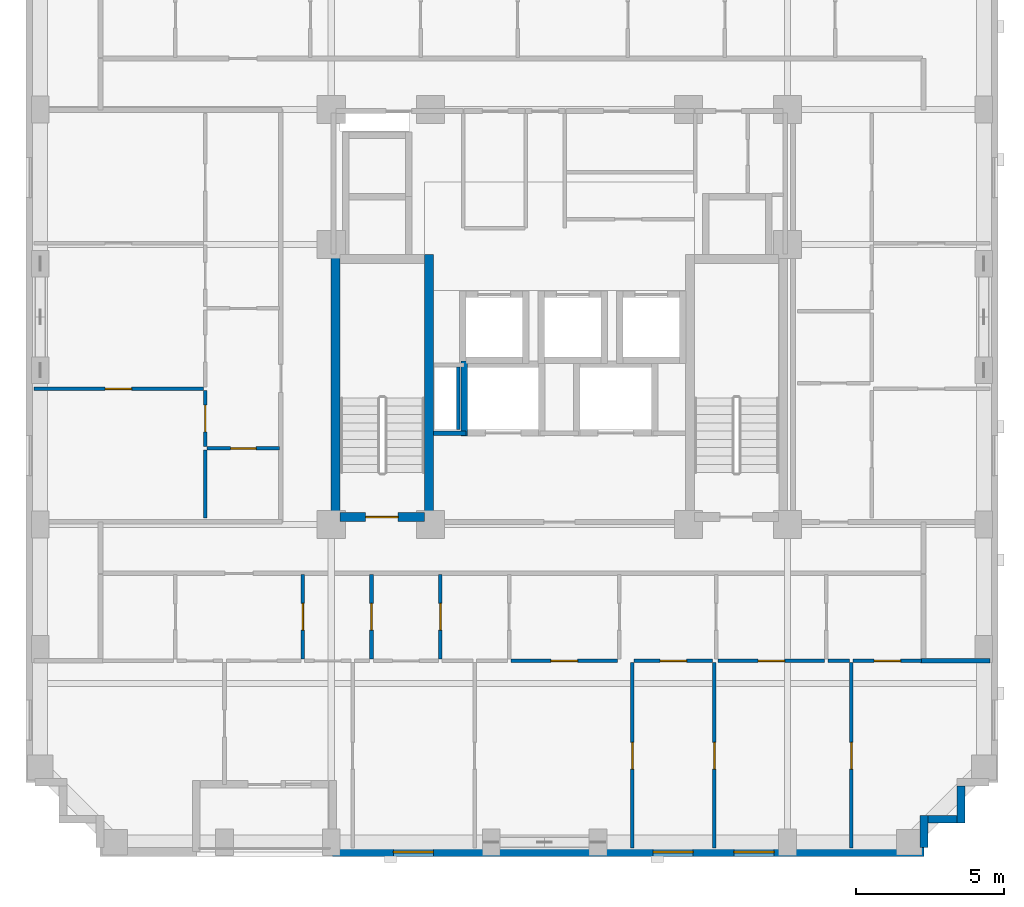
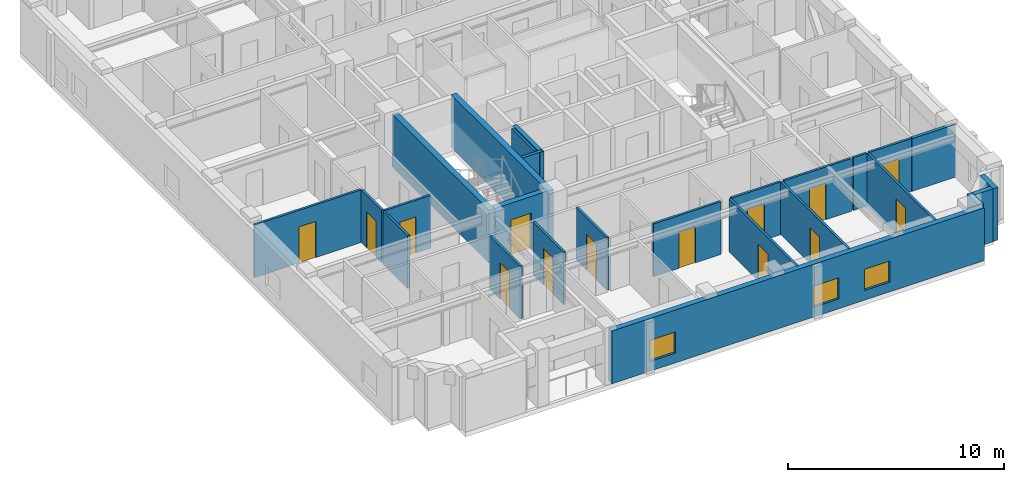
# One storey, part 3 of 11: 26 walls, 14 doors, 3 windows, 17 openings.
"""IFC4 building model written with IfcOpenShell, lengths in metres."""

from ifc_helpers import new_model, si_unit, derived_unit, direction, frame, frame_2d, origin, place, context, subcontext, project, spatial, rectangle, extrude, material, layer, layer_set, type_object, element, fill, save


model = new_model("IFC4")

# Units and contexts
model_context = context("Model", 3, precision=1e-05, world=origin(), true_north=direction((0.0, 1.0)))
body_context = subcontext(model_context, "Body", "Model", "MODEL_VIEW")
ifc_project = project(units=[si_unit("LENGTHUNIT", "METRE"), si_unit("AREAUNIT", "SQUARE_METRE"), si_unit("VOLUMEUNIT", "CUBIC_METRE"), si_unit("PLANEANGLEUNIT", "RADIAN"), si_unit("MASSUNIT", "GRAM", prefix="KILO"), derived_unit("THERMALTRANSMITTANCEUNIT", [(si_unit("MASSUNIT", "GRAM", prefix="KILO"), 1), (si_unit("TIMEUNIT", "SECOND"), -3), (si_unit("THERMODYNAMICTEMPERATUREUNIT", "KELVIN"), -1)])], contexts=[model_context])

# Site, building, storey
site_placement = place(None, origin())
site = spatial("IfcSite", under=ifc_project, at=site_placement, CompositionType="ELEMENT")
building_placement = place(site_placement, origin())
building = spatial("IfcBuilding", under=site, at=building_placement, Name="Korrvale Station Residences", CompositionType="ELEMENT")
storey_placement = place(building_placement, frame((0.0, 0.0, 150.39990234375)))
storey = spatial("IfcBuildingStorey", under=building, at=storey_placement, Name="L43", CompositionType="ELEMENT", Elevation=150.39990234375)

# Walls
ifc_material_1 = material(Name="Concrete C60/75", Category="concrete")
ifc_layer_1 = layer(ifc_material_1, 0.300048828125, Name="Concrete C60/75")
ifc_layer_set_1 = layer_set([ifc_layer_1], Name="Concrete C60/75")
wall_type_1 = type_object("IfcWallType", Name="WAL-CORE-300-C60", PredefinedType="SHEAR", material=ifc_layer_set_1)
for number, where, z_axis, x_axis, name in (
    (1, (17.949951171875, 15.10009765625, 0.0), (0.0, 0.0, 1.0), (0.0, 1.0, 0.0), "L43 ST-1 Core Shear Wall West"),
    (2, (21.10009765625, 15.10009765625, 0.0), (0.0, 0.0, 1.0), (0.0, 1.0, 0.0), "L43 ST-1 Core Shear Wall East"),
):
    element("IfcWall", number, at=place(storey_placement, frame(where, z_axis=z_axis, x_axis=x_axis)), inside=storey, type_object=wall_type_1, Name=name, PredefinedType="SHEAR", context=body_context, shape_type="SweptSolid", body=[
        extrude(rectangle(XDim=9.0, YDim=0.300048828125, at=frame_2d((4.5, 0.0))), origin(), (0.0, 0.0, 1.0), 2.989990234375),
    ])

# Wall, opening, door
wall_1_placement = place(storey_placement, frame((18.10009765625, 15.25, 0.0), z_axis=(0.0, 0.0, 1.0), x_axis=(1.0, 0.0, 0.0)))
wall_1 = element("IfcWall", 3, at=wall_1_placement, inside=storey, type_object=wall_type_1, Name="L43 ST-1 Core Shear Wall South", PredefinedType="SHEAR", context=body_context, shape_type="SweptSolid", body=[
    extrude(rectangle(XDim=2.849853515625, YDim=0.300048828125, at=frame_2d((1.4248046875, 0.0))), origin(), (0.0, 0.0, 1.0), 2.989990234375),
])
opening_1_placement = place(wall_1_placement, frame((0.860107421875, 0.0, 0.0)))
opening_1 = element("IfcOpeningElement", 4, at=opening_1_placement, cuts=wall_1, Name="Opening SD-1100", PredefinedType="OPENING", context=body_context, shape_type="SweptSolid", body=[
    extrude(rectangle(XDim=1.10009765625, YDim=2.050048828125, at=frame_2d((0.550048828125, 1.02490234375))), frame((0.0, 0.16015625, 0.0), z_axis=(0.0, -1.0, 0.0), x_axis=(1.0, 0.0, 0.0)), (0.0, 0.0, 1.0), 0.320068359375),
])
ifc_material_2 = material(Name="Hollow-metal fire-rated stair door with closer", Category="steel")
door_type_1 = type_object("IfcDoorType", Name="DR-STAIR-1100", OperationType="NOTDEFINED", PredefinedType="DOOR", material=ifc_material_2)
door_1_placement = place(opening_1_placement, origin())
door_1 = element("IfcDoor", 5, at=door_1_placement, inside=storey, type_object=door_type_1, Name="L43 ST-1 Exit Stair Door", OperationType="SINGLE_SWING_LEFT", OverallHeight=2.050048828125, OverallWidth=1.10009765625, PredefinedType="DOOR", context=body_context, shape_type="SweptSolid", body=[
    extrude(rectangle(XDim=1.10009765625, YDim=2.050048828125, at=frame_2d((0.550048828125, 1.02490234375))), frame((0.0, 0.02490234375, 0.0), z_axis=(0.0, -1.0, 0.0), x_axis=(1.0, 0.0, 0.0)), (0.0, 0.0, 1.0), 0.050048828125),
])
fill(opening_1, door_1)

# Walls
ifc_material_3 = material(Name="Precast concrete C45/55", Category="concrete")
ifc_layer_2 = layer(ifc_material_3, 0.260009765625, Name="Precast concrete C45/55")
ifc_layer_set_2 = layer_set([ifc_layer_2], Name="Precast concrete C45/55")
wall_type_2 = type_object("IfcWallType", Name="WAL-EXT-LOG260", PredefinedType="SOLIDWALL", material=ifc_layer_set_2)
wall_2_placement = place(storey_placement, frame((39.050048828125, 6.16796875, 0.0), z_axis=(0.0, 0.0, 1.0), x_axis=(0.0, -1.0, 0.0)))
element("IfcWall", 6, at=wall_2_placement, inside=storey, type_object=wall_type_2, Name="L43 Serrated Corner Precast Step SE-2", PredefinedType="SOLIDWALL", context=body_context, shape_type="SweptSolid", body=[
    extrude(rectangle(XDim=1.248046875, YDim=0.260009765625, at=frame_2d((0.6240234375, 0.0))), origin(), (0.0, 0.0, 1.0), 2.989990234375),
])
wall_3_placement = place(storey_placement, frame((38.91796875, 5.050048828125, 0.0), z_axis=(0.0, 0.0, 1.0), x_axis=(-1.0, 0.0, 0.0)))
element("IfcWall", 7, at=wall_3_placement, inside=storey, type_object=wall_type_2, Name="L43 Serrated Corner Precast Step SE-3", PredefinedType="SOLIDWALL", context=body_context, shape_type="SweptSolid", body=[
    extrude(rectangle(XDim=0.986083984375, YDim=0.260009765625, at=frame_2d((0.4931640625, 0.0))), origin(), (0.0, 0.0, 1.0), 2.989990234375),
])
wall_4_placement = place(storey_placement, frame((37.800048828125, 5.179931640625, 0.0), z_axis=(0.0, 0.0, 1.0), x_axis=(0.0, -1.0, 0.0)))
element("IfcWall", 8, at=wall_4_placement, inside=storey, type_object=wall_type_2, Name="L43 Serrated Corner Precast Step SE-4", PredefinedType="SOLIDWALL", context=body_context, shape_type="SweptSolid", body=[
    extrude(rectangle(XDim=1.077880859375, YDim=0.260009765625, at=frame_2d((0.5390625, 0.0))), origin(), (0.0, 0.0, 1.0), 2.989990234375),
])

# Wall, openings, windows
ifc_layer_3 = layer(ifc_material_3, 0.300048828125, Name="Precast concrete C45/55")
ifc_layer_set_3 = layer_set([ifc_layer_3], Name="Precast concrete C45/55")
wall_type_3 = type_object("IfcWallType", Name="WAL-EXT-PC300", PredefinedType="SOLIDWALL", material=ifc_layer_set_3)
wall_5_placement = place(storey_placement, frame((37.800048828125, 3.949951171875, 0.0), z_axis=(0.0, 0.0, 1.0), x_axis=(-1.0, 0.0, 0.0)))
wall_5 = element("IfcWall", 9, at=wall_5_placement, inside=storey, type_object=wall_type_3, Name="L43 South Exterior Precast Wall 1", PredefinedType="SOLIDWALL", context=body_context, shape_type="SweptSolid", body=[
    extrude(rectangle(XDim=19.949951171875, YDim=0.300048828125, at=frame_2d((9.97509765625, 0.0))), origin(), (0.0, 0.0, 1.0), 2.989990234375),
])
opening_2_placement = place(wall_5_placement, frame((16.554931640625, 0.0, 0.550048828125)))
opening_2 = element("IfcOpeningElement", 10, at=opening_2_placement, cuts=wall_5, Name="Opening W-10", PredefinedType="OPENING", context=body_context, shape_type="SweptSolid", body=[
    extrude(rectangle(XDim=1.35009765625, YDim=1.199951171875, at=frame_2d((0.675048828125, 0.60009765625))), frame((0.0, 0.16015625, 0.0), z_axis=(0.0, -1.0, 0.0), x_axis=(1.0, 0.0, 0.0)), (0.0, 0.0, 1.0), 0.320068359375),
])
opening_3_placement = place(wall_5_placement, frame((7.7880859375, 0.0, 0.550048828125)))
opening_3 = element("IfcOpeningElement", 11, at=opening_3_placement, cuts=wall_5, Name="Opening W-10", PredefinedType="OPENING", context=body_context, shape_type="SweptSolid", body=[
    extrude(rectangle(XDim=1.35009765625, YDim=1.199951171875, at=frame_2d((0.675048828125, 0.60009765625))), frame((0.0, 0.16015625, 0.0), z_axis=(0.0, -1.0, 0.0), x_axis=(1.0, 0.0, 0.0)), (0.0, 0.0, 1.0), 0.320068359375),
])
opening_4_placement = place(wall_5_placement, frame((5.06005859375, 0.0, 0.550048828125)))
opening_4 = element("IfcOpeningElement", 12, at=opening_4_placement, cuts=wall_5, Name="Opening W-10", PredefinedType="OPENING", context=body_context, shape_type="SweptSolid", body=[
    extrude(rectangle(XDim=1.35009765625, YDim=1.199951171875, at=frame_2d((0.675048828125, 0.60009765625))), frame((0.0, 0.16015625, 0.0), z_axis=(0.0, -1.0, 0.0), x_axis=(1.0, 0.0, 0.0)), (0.0, 0.0, 1.0), 0.320068359375),
])
ifc_material_4 = material(Name="Thermally broken aluminium frame with triple low-e glazing", Category="aluminium")
window_type = type_object("IfcWindowType", Name="WIN-W10", PartitioningType="SINGLE_PANEL", PredefinedType="WINDOW", material=ifc_material_4)
window_1_placement = place(opening_2_placement, origin())
window_1 = element("IfcWindow", 13, at=window_1_placement, inside=storey, type_object=window_type, Name="L43 Punched Window 03", OverallHeight=1.199951171875, OverallWidth=1.35009765625, PartitioningType="SINGLE_PANEL", PredefinedType="WINDOW", context=body_context, shape_type="SweptSolid", body=[
    extrude(rectangle(XDim=1.35009765625, YDim=1.199951171875, at=frame_2d((0.675048828125, 0.60009765625))), frame((0.0, 0.030029296875, 0.0), z_axis=(0.0, -1.0, 0.0), x_axis=(1.0, 0.0, 0.0)), (0.0, 0.0, 1.0), 0.06005859375),
])
fill(opening_2, window_1)
window_2_placement = place(opening_3_placement, origin())
window_2 = element("IfcWindow", 14, at=window_2_placement, inside=storey, type_object=window_type, Name="L43 Punched Window 04", OverallHeight=1.199951171875, OverallWidth=1.35009765625, PartitioningType="SINGLE_PANEL", PredefinedType="WINDOW", context=body_context, shape_type="SweptSolid", body=[
    extrude(rectangle(XDim=1.35009765625, YDim=1.199951171875, at=frame_2d((0.675048828125, 0.60009765625))), frame((0.0, 0.030029296875, 0.0), z_axis=(0.0, -1.0, 0.0), x_axis=(1.0, 0.0, 0.0)), (0.0, 0.0, 1.0), 0.06005859375),
])
fill(opening_3, window_2)
window_3_placement = place(opening_4_placement, origin())
window_3 = element("IfcWindow", 15, at=window_3_placement, inside=storey, type_object=window_type, Name="L43 Punched Window 05", OverallHeight=1.199951171875, OverallWidth=1.35009765625, PartitioningType="SINGLE_PANEL", PredefinedType="WINDOW", context=body_context, shape_type="SweptSolid", body=[
    extrude(rectangle(XDim=1.35009765625, YDim=1.199951171875, at=frame_2d((0.675048828125, 0.60009765625))), frame((0.0, 0.030029296875, 0.0), z_axis=(0.0, -1.0, 0.0), x_axis=(1.0, 0.0, 0.0)), (0.0, 0.0, 1.0), 0.06005859375),
])
fill(opening_4, window_3)

# Wall
ifc_material_5 = material(Name="Acoustic steel-stud gypsum board partition", Category="steel")
ifc_layer_4 = layer(ifc_material_5, 0.1201171875, Name="Acoustic steel-stud gypsum board partition")
ifc_layer_set_4 = layer_set([ifc_layer_4], Name="Acoustic steel-stud gypsum board partition")
wall_type_4 = type_object("IfcWallType", Name="WAL-PART-125", PredefinedType="PARTITIONING", material=ifc_layer_set_4)
wall_6_placement = place(storey_placement, frame((22.080078125, 18.199951171875, 0.0), z_axis=(0.0, 0.0, 1.0), x_axis=(0.0, 1.0, 0.0)))
element("IfcWall", 16, at=wall_6_placement, inside=storey, type_object=wall_type_4, Name="L43 Core Partition CW-RSWT", PredefinedType="PARTITIONING", context=body_context, shape_type="SweptSolid", body=[
    extrude(rectangle(XDim=2.1201171875, YDim=0.1201171875, at=frame_2d((1.06005859375, 0.0))), origin(), (0.0, 0.0, 1.0), 2.989990234375),
])

# Wall, opening, door
wall_7_placement = place(storey_placement, frame((16.840087890625, 10.4599609375, 0.0), z_axis=(0.0, 0.0, 1.0), x_axis=(0.0, 1.0, 0.0)))
wall_7 = element("IfcWall", 17, at=wall_7_placement, inside=storey, type_object=wall_type_4, Name="L43 Suite Partition U01-V12", PredefinedType="PARTITIONING", context=body_context, shape_type="SweptSolid", body=[
    extrude(rectangle(XDim=2.85009765625, YDim=0.1201171875, at=frame_2d((1.425048828125, 0.0))), origin(), (0.0, 0.0, 1.0), 2.989990234375),
])
opening_5_placement = place(wall_7_placement, frame((0.97509765625, 0.0, 0.0)))
opening_5 = element("IfcOpeningElement", 18, at=opening_5_placement, cuts=wall_7, Name="Opening DI-900", PredefinedType="OPENING", context=body_context, shape_type="SweptSolid", body=[
    extrude(rectangle(XDim=0.89990234375, YDim=2.050048828125, at=frame_2d((0.449951171875, 1.02490234375))), frame((0.0, 0.070068359375, 0.0), z_axis=(0.0, -1.0, 0.0), x_axis=(1.0, 0.0, 0.0)), (0.0, 0.0, 1.0), 0.14013671875),
])
ifc_material_6 = material(Name="Painted solid-core timber interior room door", Category="wood")
door_type_2 = type_object("IfcDoorType", Name="DR-INT-900", OperationType="NOTDEFINED", PredefinedType="DOOR", material=ifc_material_6)
door_2_placement = place(opening_5_placement, origin())
door_2 = element("IfcDoor", 19, at=door_2_placement, inside=storey, type_object=door_type_2, Name="L43 Apartment 2BR L43-U01 Kitchen Door", OperationType="SINGLE_SWING_LEFT", OverallHeight=2.050048828125, OverallWidth=0.89990234375, PredefinedType="DOOR", context=body_context, shape_type="SweptSolid", body=[
    extrude(rectangle(XDim=0.89990234375, YDim=2.050048828125, at=frame_2d((0.449951171875, 1.02490234375))), frame((0.0, 0.02490234375, 0.0), z_axis=(0.0, -1.0, 0.0), x_axis=(1.0, 0.0, 0.0)), (0.0, 0.0, 1.0), 0.050048828125),
])
fill(opening_5, door_2)

wall_8_placement = place(storey_placement, frame((19.159912109375, 10.4599609375, 0.0), z_axis=(0.0, 0.0, 1.0), x_axis=(0.0, 1.0, 0.0)))
wall_8 = element("IfcWall", 20, at=wall_8_placement, inside=storey, type_object=wall_type_4, Name="L43 Suite Partition U01-V23", PredefinedType="PARTITIONING", context=body_context, shape_type="SweptSolid", body=[
    extrude(rectangle(XDim=2.85009765625, YDim=0.1201171875, at=frame_2d((1.425048828125, 0.0))), origin(), (0.0, 0.0, 1.0), 2.989990234375),
])
opening_6_placement = place(wall_8_placement, frame((0.97509765625, 0.0, 0.0)))
opening_6 = element("IfcOpeningElement", 21, at=opening_6_placement, cuts=wall_8, Name="Opening DI-900", PredefinedType="OPENING", context=body_context, shape_type="SweptSolid", body=[
    extrude(rectangle(XDim=0.89990234375, YDim=2.050048828125, at=frame_2d((0.449951171875, 1.02490234375))), frame((0.0, 0.070068359375, 0.0), z_axis=(0.0, -1.0, 0.0), x_axis=(1.0, 0.0, 0.0)), (0.0, 0.0, 1.0), 0.14013671875),
])
door_3_placement = place(opening_6_placement, origin())
door_3 = element("IfcDoor", 22, at=door_3_placement, inside=storey, type_object=door_type_2, Name="L43 Apartment 2BR L43-U01 Wardrobe Storage Room Door", OperationType="SINGLE_SWING_RIGHT", OverallHeight=2.050048828125, OverallWidth=0.89990234375, PredefinedType="DOOR", context=body_context, shape_type="SweptSolid", body=[
    extrude(rectangle(XDim=0.89990234375, YDim=2.050048828125, at=frame_2d((0.449951171875, 1.02490234375))), frame((0.0, 0.02490234375, 0.0), z_axis=(0.0, -1.0, 0.0), x_axis=(1.0, 0.0, 0.0)), (0.0, 0.0, 1.0), 0.050048828125),
])
fill(opening_6, door_3)

wall_9_placement = place(storey_placement, frame((21.47998046875, 10.4599609375, 0.0), z_axis=(0.0, 0.0, 1.0), x_axis=(0.0, 1.0, 0.0)))
wall_9 = element("IfcWall", 23, at=wall_9_placement, inside=storey, type_object=wall_type_4, Name="L43 Suite Partition U01-V34", PredefinedType="PARTITIONING", context=body_context, shape_type="SweptSolid", body=[
    extrude(rectangle(XDim=2.85009765625, YDim=0.1201171875, at=frame_2d((1.425048828125, 0.0))), origin(), (0.0, 0.0, 1.0), 2.989990234375),
])
opening_7_placement = place(wall_9_placement, frame((0.97509765625, 0.0, 0.0)))
opening_7 = element("IfcOpeningElement", 24, at=opening_7_placement, cuts=wall_9, Name="Opening DI-900", PredefinedType="OPENING", context=body_context, shape_type="SweptSolid", body=[
    extrude(rectangle(XDim=0.89990234375, YDim=2.050048828125, at=frame_2d((0.449951171875, 1.02490234375))), frame((0.0, 0.070068359375, 0.0), z_axis=(0.0, -1.0, 0.0), x_axis=(1.0, 0.0, 0.0)), (0.0, 0.0, 1.0), 0.14013671875),
])
door_4_placement = place(opening_7_placement, origin())
door_4 = element("IfcDoor", 25, at=door_4_placement, inside=storey, type_object=door_type_2, Name="L43 Apartment 2BR L43-U01 Wardrobe Storage Room Door", OperationType="SINGLE_SWING_RIGHT", OverallHeight=2.050048828125, OverallWidth=0.89990234375, PredefinedType="DOOR", context=body_context, shape_type="SweptSolid", body=[
    extrude(rectangle(XDim=0.89990234375, YDim=2.050048828125, at=frame_2d((0.449951171875, 1.02490234375))), frame((0.0, 0.02490234375, 0.0), z_axis=(0.0, -1.0, 0.0), x_axis=(1.0, 0.0, 0.0)), (0.0, 0.0, 1.0), 0.050048828125),
])
fill(opening_7, door_4)

wall_10_placement = place(storey_placement, frame((23.860107421875, 10.39990234375, 0.0), z_axis=(0.0, 0.0, 1.0), x_axis=(1.0, 0.0, 0.0)))
wall_10 = element("IfcWall", 26, at=wall_10_placement, inside=storey, type_object=wall_type_4, Name="L43 Suite Partition U01-H512", PredefinedType="PARTITIONING", context=body_context, shape_type="SweptSolid", body=[
    extrude(rectangle(XDim=3.599853515625, YDim=0.1201171875, at=frame_2d((1.7998046875, 0.0))), origin(), (0.0, 0.0, 1.0), 2.989990234375),
])
opening_8_placement = place(wall_10_placement, frame((1.35009765625, 0.0, 0.0)))
opening_8 = element("IfcOpeningElement", 27, at=opening_8_placement, cuts=wall_10, Name="Opening DI-900", PredefinedType="OPENING", context=body_context, shape_type="SweptSolid", body=[
    extrude(rectangle(XDim=0.89990234375, YDim=2.050048828125, at=frame_2d((0.449951171875, 1.02490234375))), frame((0.0, 0.070068359375, 0.0), z_axis=(0.0, -1.0, 0.0), x_axis=(1.0, 0.0, 0.0)), (0.0, 0.0, 1.0), 0.14013671875),
])
door_5_placement = place(opening_8_placement, origin())
door_5 = element("IfcDoor", 28, at=door_5_placement, inside=storey, type_object=door_type_2, Name="L43 Apartment 2BR L43-U01 Utility and Laundry Room Door", OperationType="SINGLE_SWING_RIGHT", OverallHeight=2.050048828125, OverallWidth=0.89990234375, PredefinedType="DOOR", context=body_context, shape_type="SweptSolid", body=[
    extrude(rectangle(XDim=0.89990234375, YDim=2.050048828125, at=frame_2d((0.449951171875, 1.02490234375))), frame((0.0, 0.02490234375, 0.0), z_axis=(0.0, -1.0, 0.0), x_axis=(1.0, 0.0, 0.0)), (0.0, 0.0, 1.0), 0.050048828125),
])
fill(opening_8, door_5)

wall_11_placement = place(storey_placement, frame((28.02001953125, 10.39990234375, 0.0), z_axis=(0.0, 0.0, 1.0), x_axis=(1.0, 0.0, 0.0)))
wall_11 = element("IfcWall", 29, at=wall_11_placement, inside=storey, type_object=wall_type_4, Name="L43 Suite Partition U01-H613", PredefinedType="PARTITIONING", context=body_context, shape_type="SweptSolid", body=[
    extrude(rectangle(XDim=2.64990234375, YDim=0.1201171875, at=frame_2d((1.324951171875, 0.0))), origin(), (0.0, 0.0, 1.0), 2.989990234375),
])
opening_9_placement = place(wall_11_placement, frame((0.875, 0.0, 0.0)))
opening_9 = element("IfcOpeningElement", 30, at=opening_9_placement, cuts=wall_11, Name="Opening DI-900", PredefinedType="OPENING", context=body_context, shape_type="SweptSolid", body=[
    extrude(rectangle(XDim=0.89990234375, YDim=2.050048828125, at=frame_2d((0.449951171875, 1.02490234375))), frame((0.0, 0.070068359375, 0.0), z_axis=(0.0, -1.0, 0.0), x_axis=(1.0, 0.0, 0.0)), (0.0, 0.0, 1.0), 0.14013671875),
])
door_6_placement = place(opening_9_placement, origin())
door_6 = element("IfcDoor", 31, at=door_6_placement, inside=storey, type_object=door_type_2, Name="L43 Apartment 2BR L43-U01 Storage Closet 2 Door", OperationType="SINGLE_SWING_RIGHT", OverallHeight=2.050048828125, OverallWidth=0.89990234375, PredefinedType="DOOR", context=body_context, shape_type="SweptSolid", body=[
    extrude(rectangle(XDim=0.89990234375, YDim=2.050048828125, at=frame_2d((0.449951171875, 1.02490234375))), frame((0.0, 0.02490234375, 0.0), z_axis=(0.0, -1.0, 0.0), x_axis=(1.0, 0.0, 0.0)), (0.0, 0.0, 1.0), 0.050048828125),
])
fill(opening_9, door_6)

wall_12_placement = place(storey_placement, frame((30.85009765625, 10.39990234375, 0.0), z_axis=(0.0, 0.0, 1.0), x_axis=(1.0, 0.0, 0.0)))
wall_12 = element("IfcWall", 32, at=wall_12_placement, inside=storey, type_object=wall_type_4, Name="L43 Suite Partition U01-H714", PredefinedType="PARTITIONING", context=body_context, shape_type="SweptSolid", body=[
    extrude(rectangle(XDim=3.599853515625, YDim=0.1201171875, at=frame_2d((1.7998046875, 0.0))), origin(), (0.0, 0.0, 1.0), 2.989990234375),
])
opening_10_placement = place(wall_12_placement, frame((1.35009765625, 0.0, 0.0)))
opening_10 = element("IfcOpeningElement", 33, at=opening_10_placement, cuts=wall_12, Name="Opening DI-900", PredefinedType="OPENING", context=body_context, shape_type="SweptSolid", body=[
    extrude(rectangle(XDim=0.89990234375, YDim=2.050048828125, at=frame_2d((0.449951171875, 1.02490234375))), frame((0.0, 0.070068359375, 0.0), z_axis=(0.0, -1.0, 0.0), x_axis=(1.0, 0.0, 0.0)), (0.0, 0.0, 1.0), 0.14013671875),
])
door_7_placement = place(opening_10_placement, origin())
door_7 = element("IfcDoor", 34, at=door_7_placement, inside=storey, type_object=door_type_2, Name="L43 Apartment 2BR L43-U01 Storage Closet 3 Door", OperationType="SINGLE_SWING_RIGHT", OverallHeight=2.050048828125, OverallWidth=0.89990234375, PredefinedType="DOOR", context=body_context, shape_type="SweptSolid", body=[
    extrude(rectangle(XDim=0.89990234375, YDim=2.050048828125, at=frame_2d((0.449951171875, 1.02490234375))), frame((0.0, 0.02490234375, 0.0), z_axis=(0.0, -1.0, 0.0), x_axis=(1.0, 0.0, 0.0)), (0.0, 0.0, 1.0), 0.050048828125),
])
fill(opening_10, door_7)

# Wall
wall_13_placement = place(storey_placement, frame((34.570068359375, 10.39990234375, 0.0), z_axis=(0.0, 0.0, 1.0), x_axis=(1.0, 0.0, 0.0)))
element("IfcWall", 35, at=wall_13_placement, inside=storey, type_object=wall_type_4, Name="L43 Suite Partition U01-H814", PredefinedType="PARTITIONING", context=body_context, shape_type="SweptSolid", body=[
    extrude(rectangle(XDim=0.719970703125, YDim=0.1201171875, at=frame_2d((0.35986328125, 0.0))), origin(), (0.0, 0.0, 1.0), 2.989990234375),
])

# Wall, opening, door
wall_14_placement = place(storey_placement, frame((35.409912109375, 10.39990234375, 0.0), z_axis=(0.0, 0.0, 1.0), x_axis=(1.0, 0.0, 0.0)))
wall_14 = element("IfcWall", 36, at=wall_14_placement, inside=storey, type_object=wall_type_4, Name="L43 Suite Partition U01-H815", PredefinedType="PARTITIONING", context=body_context, shape_type="SweptSolid", body=[
    extrude(rectangle(XDim=2.31005859375, YDim=0.1201171875, at=frame_2d((1.155029296875, 0.0))), origin(), (0.0, 0.0, 1.0), 2.989990234375),
])
opening_11_placement = place(wall_14_placement, frame((0.705078125, 0.0, 0.0)))
opening_11 = element("IfcOpeningElement", 37, at=opening_11_placement, cuts=wall_14, Name="Opening DI-900", PredefinedType="OPENING", context=body_context, shape_type="SweptSolid", body=[
    extrude(rectangle(XDim=0.89990234375, YDim=2.050048828125, at=frame_2d((0.449951171875, 1.02490234375))), frame((0.0, 0.070068359375, 0.0), z_axis=(0.0, -1.0, 0.0), x_axis=(1.0, 0.0, 0.0)), (0.0, 0.0, 1.0), 0.14013671875),
])
door_8_placement = place(opening_11_placement, origin())
door_8 = element("IfcDoor", 38, at=door_8_placement, inside=storey, type_object=door_type_2, Name="L43 Apartment 2BR L43-U01 Storage Closet 4 Door", OperationType="SINGLE_SWING_LEFT", OverallHeight=2.050048828125, OverallWidth=0.89990234375, PredefinedType="DOOR", context=body_context, shape_type="SweptSolid", body=[
    extrude(rectangle(XDim=0.89990234375, YDim=2.050048828125, at=frame_2d((0.449951171875, 1.02490234375))), frame((0.0, 0.02490234375, 0.0), z_axis=(0.0, -1.0, 0.0), x_axis=(1.0, 0.0, 0.0)), (0.0, 0.0, 1.0), 0.050048828125),
])
fill(opening_11, door_8)

wall_15_placement = place(storey_placement, frame((27.9599609375, 4.080078125, 0.0), z_axis=(0.0, 0.0, 1.0), x_axis=(0.0, 1.0, 0.0)))
wall_15 = element("IfcWall", 39, at=wall_15_placement, inside=storey, type_object=wall_type_4, Name="L43 Suite Partition U01-V1213", PredefinedType="PARTITIONING", context=body_context, shape_type="SweptSolid", body=[
    extrude(rectangle(XDim=6.260009765625, YDim=0.1201171875, at=frame_2d((3.1298828125, 0.0))), origin(), (0.0, 0.0, 1.0), 2.989990234375),
])
opening_12_placement = place(wall_15_placement, frame((2.6650390625, 0.0, 0.0)))
opening_12 = element("IfcOpeningElement", 40, at=opening_12_placement, cuts=wall_15, Name="Opening DI-900", PredefinedType="OPENING", context=body_context, shape_type="SweptSolid", body=[
    extrude(rectangle(XDim=0.89990234375, YDim=2.050048828125, at=frame_2d((0.449951171875, 1.02490234375))), frame((0.0, 0.070068359375, 0.0), z_axis=(0.0, -1.0, 0.0), x_axis=(1.0, 0.0, 0.0)), (0.0, 0.0, 1.0), 0.14013671875),
])
door_9_placement = place(opening_12_placement, origin())
door_9 = element("IfcDoor", 41, at=door_9_placement, inside=storey, type_object=door_type_2, Name="L43 Apartment 2BR L43-U01 Wardrobe Storage Room Door", OperationType="SINGLE_SWING_LEFT", OverallHeight=2.050048828125, OverallWidth=0.89990234375, PredefinedType="DOOR", context=body_context, shape_type="SweptSolid", body=[
    extrude(rectangle(XDim=0.89990234375, YDim=2.050048828125, at=frame_2d((0.449951171875, 1.02490234375))), frame((0.0, 0.02490234375, 0.0), z_axis=(0.0, -1.0, 0.0), x_axis=(1.0, 0.0, 0.0)), (0.0, 0.0, 1.0), 0.050048828125),
])
fill(opening_12, door_9)

wall_16_placement = place(storey_placement, frame((30.72998046875, 4.080078125, 0.0), z_axis=(0.0, 0.0, 1.0), x_axis=(0.0, 1.0, 0.0)))
wall_16 = element("IfcWall", 42, at=wall_16_placement, inside=storey, type_object=wall_type_4, Name="L43 Suite Partition U01-V1314", PredefinedType="PARTITIONING", context=body_context, shape_type="SweptSolid", body=[
    extrude(rectangle(XDim=6.260009765625, YDim=0.1201171875, at=frame_2d((3.1298828125, 0.0))), origin(), (0.0, 0.0, 1.0), 2.989990234375),
])
opening_13_placement = place(wall_16_placement, frame((2.6650390625, 0.0, 0.0)))
opening_13 = element("IfcOpeningElement", 43, at=opening_13_placement, cuts=wall_16, Name="Opening DI-900", PredefinedType="OPENING", context=body_context, shape_type="SweptSolid", body=[
    extrude(rectangle(XDim=0.89990234375, YDim=2.050048828125, at=frame_2d((0.449951171875, 1.02490234375))), frame((0.0, 0.070068359375, 0.0), z_axis=(0.0, -1.0, 0.0), x_axis=(1.0, 0.0, 0.0)), (0.0, 0.0, 1.0), 0.14013671875),
])
door_10_placement = place(opening_13_placement, origin())
door_10 = element("IfcDoor", 44, at=door_10_placement, inside=storey, type_object=door_type_2, Name="L43 Apartment 2BR L43-U01 Private Library Study Door", OperationType="SINGLE_SWING_RIGHT", OverallHeight=2.050048828125, OverallWidth=0.89990234375, PredefinedType="DOOR", context=body_context, shape_type="SweptSolid", body=[
    extrude(rectangle(XDim=0.89990234375, YDim=2.050048828125, at=frame_2d((0.449951171875, 1.02490234375))), frame((0.0, 0.02490234375, 0.0), z_axis=(0.0, -1.0, 0.0), x_axis=(1.0, 0.0, 0.0)), (0.0, 0.0, 1.0), 0.050048828125),
])
fill(opening_13, door_10)

wall_17_placement = place(storey_placement, frame((35.35009765625, 4.080078125, 0.0), z_axis=(0.0, 0.0, 1.0), x_axis=(0.0, 1.0, 0.0)))
wall_17 = element("IfcWall", 45, at=wall_17_placement, inside=storey, type_object=wall_type_4, Name="L43 Suite Partition U01-V1415", PredefinedType="PARTITIONING", context=body_context, shape_type="SweptSolid", body=[
    extrude(rectangle(XDim=6.260009765625, YDim=0.1201171875, at=frame_2d((3.1298828125, 0.0))), origin(), (0.0, 0.0, 1.0), 2.989990234375),
])
opening_14_placement = place(wall_17_placement, frame((2.6650390625, 0.0, 0.0)))
opening_14 = element("IfcOpeningElement", 46, at=opening_14_placement, cuts=wall_17, Name="Opening DI-900", PredefinedType="OPENING", context=body_context, shape_type="SweptSolid", body=[
    extrude(rectangle(XDim=0.89990234375, YDim=2.050048828125, at=frame_2d((0.449951171875, 1.02490234375))), frame((0.0, 0.070068359375, 0.0), z_axis=(0.0, -1.0, 0.0), x_axis=(1.0, 0.0, 0.0)), (0.0, 0.0, 1.0), 0.14013671875),
])
door_11_placement = place(opening_14_placement, origin())
door_11 = element("IfcDoor", 47, at=door_11_placement, inside=storey, type_object=door_type_2, Name="L43 Apartment 2BR L43-U01 Bedroom 1 Door", OperationType="SINGLE_SWING_LEFT", OverallHeight=2.050048828125, OverallWidth=0.89990234375, PredefinedType="DOOR", context=body_context, shape_type="SweptSolid", body=[
    extrude(rectangle(XDim=0.89990234375, YDim=2.050048828125, at=frame_2d((0.449951171875, 1.02490234375))), frame((0.0, 0.02490234375, 0.0), z_axis=(0.0, -1.0, 0.0), x_axis=(1.0, 0.0, 0.0)), (0.0, 0.0, 1.0), 0.050048828125),
])
fill(opening_14, door_11)

wall_18_placement = place(storey_placement, frame((13.610107421875, 17.570068359375, 0.0), z_axis=(0.0, 0.0, 1.0), x_axis=(1.0, 0.0, 0.0)))
wall_18 = element("IfcWall", 48, at=wall_18_placement, inside=storey, type_object=wall_type_4, Name="L43 Suite Partition U03-H12", PredefinedType="PARTITIONING", context=body_context, shape_type="SweptSolid", body=[
    extrude(rectangle(XDim=2.449951171875, YDim=0.1201171875, at=frame_2d((1.22509765625, 0.0))), origin(), (0.0, 0.0, 1.0), 2.989990234375),
])
opening_15_placement = place(wall_18_placement, frame((0.794921875, 0.0, 0.0)))
opening_15 = element("IfcOpeningElement", 49, at=opening_15_placement, cuts=wall_18, Name="Opening DB-860", PredefinedType="OPENING", context=body_context, shape_type="SweptSolid", body=[
    extrude(rectangle(XDim=0.860107421875, YDim=2.050048828125, at=frame_2d((0.43017578125, 1.02490234375))), frame((0.0, 0.070068359375, 0.0), z_axis=(0.0, -1.0, 0.0), x_axis=(1.0, 0.0, 0.0)), (0.0, 0.0, 1.0), 0.14013671875),
])
ifc_material_7 = material(Name="Moisture-resistant solid-core bathroom door", Category="timber")
door_type_3 = type_object("IfcDoorType", Name="DR-BATH-860", OperationType="NOTDEFINED", PredefinedType="DOOR", material=ifc_material_7)
door_12_placement = place(opening_15_placement, origin())
door_12 = element("IfcDoor", 50, at=door_12_placement, inside=storey, type_object=door_type_3, Name="L43 Apartment 2BR L43-U03 Bathroom Door", OperationType="SINGLE_SWING_LEFT", OverallHeight=2.050048828125, OverallWidth=0.860107421875, PredefinedType="DOOR", context=body_context, shape_type="SweptSolid", body=[
    extrude(rectangle(XDim=0.860107421875, YDim=2.050048828125, at=frame_2d((0.43017578125, 1.02490234375))), frame((0.0, 0.02490234375, 0.0), z_axis=(0.0, -1.0, 0.0), x_axis=(1.0, 0.0, 0.0)), (0.0, 0.0, 1.0), 0.050048828125),
])
fill(opening_15, door_12)

# Wall
wall_19_placement = place(storey_placement, frame((13.550048828125, 15.2099609375, 0.0), z_axis=(0.0, 0.0, 1.0), x_axis=(0.0, 1.0, 0.0)))
element("IfcWall", 51, at=wall_19_placement, inside=storey, type_object=wall_type_4, Name="L43 Suite Partition U03-V13", PredefinedType="PARTITIONING", context=body_context, shape_type="SweptSolid", body=[
    extrude(rectangle(XDim=2.300048828125, YDim=0.1201171875, at=frame_2d((1.14990234375, 0.0))), origin(), (0.0, 0.0, 1.0), 2.989990234375),
])

# Wall, opening, door
wall_20_placement = place(storey_placement, frame((13.550048828125, 17.6298828125, 0.0), z_axis=(0.0, 0.0, 1.0), x_axis=(0.0, 1.0, 0.0)))
wall_20 = element("IfcWall", 52, at=wall_20_placement, inside=storey, type_object=wall_type_4, Name="L43 Suite Partition U03-V23", PredefinedType="PARTITIONING", context=body_context, shape_type="SweptSolid", body=[
    extrude(rectangle(XDim=1.88818359375, YDim=0.1201171875, at=frame_2d((0.944091796875, 0.0))), origin(), (0.0, 0.0, 1.0), 2.989990234375),
])
opening_16_placement = place(wall_20_placement, frame((0.493896484375, 0.0, 0.0)))
opening_16 = element("IfcOpeningElement", 53, at=opening_16_placement, cuts=wall_20, Name="Opening DI-900", PredefinedType="OPENING", context=body_context, shape_type="SweptSolid", body=[
    extrude(rectangle(XDim=0.89990234375, YDim=2.050048828125, at=frame_2d((0.449951171875, 1.02490234375))), frame((0.0, 0.070068359375, 0.0), z_axis=(0.0, -1.0, 0.0), x_axis=(1.0, 0.0, 0.0)), (0.0, 0.0, 1.0), 0.14013671875),
])
door_13_placement = place(opening_16_placement, origin())
door_13 = element("IfcDoor", 54, at=door_13_placement, inside=storey, type_object=door_type_2, Name="L43 Apartment 2BR L43-U03 Kitchen Door", OperationType="SINGLE_SWING_RIGHT", OverallHeight=2.050048828125, OverallWidth=0.89990234375, PredefinedType="DOOR", context=body_context, shape_type="SweptSolid", body=[
    extrude(rectangle(XDim=0.89990234375, YDim=2.050048828125, at=frame_2d((0.449951171875, 1.02490234375))), frame((0.0, 0.02490234375, 0.0), z_axis=(0.0, -1.0, 0.0), x_axis=(1.0, 0.0, 0.0)), (0.0, 0.0, 1.0), 0.050048828125),
])
fill(opening_16, door_13)

wall_21_placement = place(storey_placement, frame((7.780029296875, 19.577880859375, 0.0), z_axis=(0.0, 0.0, 1.0), x_axis=(1.0, 0.0, 0.0)))
wall_21 = element("IfcWall", 55, at=wall_21_placement, inside=storey, type_object=wall_type_4, Name="L43 Suite Partition U03-H34", PredefinedType="PARTITIONING", context=body_context, shape_type="SweptSolid", body=[
    extrude(rectangle(XDim=5.7099609375, YDim=0.1201171875, at=frame_2d((2.85498046875, 0.0))), origin(), (0.0, 0.0, 1.0), 2.989990234375),
])
opening_17_placement = place(wall_21_placement, frame((2.389892578125, 0.0, 0.0)))
opening_17 = element("IfcOpeningElement", 56, at=opening_17_placement, cuts=wall_21, Name="Opening DI-900", PredefinedType="OPENING", context=body_context, shape_type="SweptSolid", body=[
    extrude(rectangle(XDim=0.89990234375, YDim=2.050048828125, at=frame_2d((0.449951171875, 1.02490234375))), frame((0.0, 0.070068359375, 0.0), z_axis=(0.0, -1.0, 0.0), x_axis=(1.0, 0.0, 0.0)), (0.0, 0.0, 1.0), 0.14013671875),
])
door_14_placement = place(opening_17_placement, origin())
door_14 = element("IfcDoor", 57, at=door_14_placement, inside=storey, type_object=door_type_2, Name="L43 Apartment 2BR L43-U03 Bedroom 1 Door", OperationType="SINGLE_SWING_RIGHT", OverallHeight=2.050048828125, OverallWidth=0.89990234375, PredefinedType="DOOR", context=body_context, shape_type="SweptSolid", body=[
    extrude(rectangle(XDim=0.89990234375, YDim=2.050048828125, at=frame_2d((0.449951171875, 1.02490234375))), frame((0.0, 0.02490234375, 0.0), z_axis=(0.0, -1.0, 0.0), x_axis=(1.0, 0.0, 0.0)), (0.0, 0.0, 1.0), 0.050048828125),
])
fill(opening_17, door_14)

# Walls
ifc_material_8 = material(Name="Fire-rated twin-stud gypsum and mineral wool shaftwall assembly", Category="gypsum")
ifc_layer_5 = layer(ifc_material_8, 0.159912109375, Name="Fire-rated twin-stud gypsum and mineral wool shaftwall assembly")
ifc_layer_set_5 = layer_set([ifc_layer_5], Name="Fire-rated twin-stud gypsum and mineral wool shaftwall assembly")
wall_type_5 = type_object("IfcWallType", Name="WAL-PART-200", PredefinedType="PARTITIONING", material=ifc_layer_set_5)
wall_22_placement = place(storey_placement, frame((21.25, 18.080078125, 0.0), z_axis=(0.0, 0.0, 1.0), x_axis=(1.0, 0.0, 0.0)))
element("IfcWall", 58, at=wall_22_placement, inside=storey, type_object=wall_type_5, Name="L43 Core Partition CW-FFL-N1", PredefinedType="PARTITIONING", context=body_context, shape_type="SweptSolid", body=[
    extrude(rectangle(XDim=1.10009765625, YDim=0.159912109375, at=frame_2d((0.550048828125, 0.0))), origin(), (0.0, 0.0, 1.0), 2.989990234375),
])
wall_23_placement = place(storey_placement, frame((37.679931640625, 10.39990234375, 0.0), z_axis=(0.0, 0.0, 1.0), x_axis=(1.0, 0.0, 0.0)))
element("IfcWall", 59, at=wall_23_placement, inside=storey, type_object=wall_type_5, Name="L43 Corner Step Wall U01-R", PredefinedType="PARTITIONING", context=body_context, shape_type="SweptSolid", body=[
    extrude(rectangle(XDim=2.340087890625, YDim=0.159912109375, at=frame_2d((1.169921875, 0.0))), origin(), (0.0, 0.0, 1.0), 2.989990234375),
])
ifc_layer_6 = layer(ifc_material_1, 0.219970703125, Name="Concrete C60/75")
ifc_layer_set_6 = layer_set([ifc_layer_6], Name="Concrete C60/75")
wall_type_6 = type_object("IfcWallType", Name="WAL-SHAFT-220-C60", PredefinedType="SHEAR", material=ifc_layer_set_6)
wall_24_placement = place(storey_placement, frame((22.2900390625, 17.97998046875, 0.0), z_axis=(0.0, 0.0, 1.0), x_axis=(0.0, 1.0, 0.0)))
element("IfcWall", 60, at=wall_24_placement, inside=storey, type_object=wall_type_6, Name="L43 Elevator FFL-1 Hoistway Wall West", PredefinedType="SHEAR", context=body_context, shape_type="SweptSolid", body=[
    extrude(rectangle(XDim=2.5400390625, YDim=0.219970703125, at=frame_2d((1.27001953125, 0.0))), origin(), (0.0, 0.0, 1.0), 2.989990234375),
])

save(model, "model.ifc")
